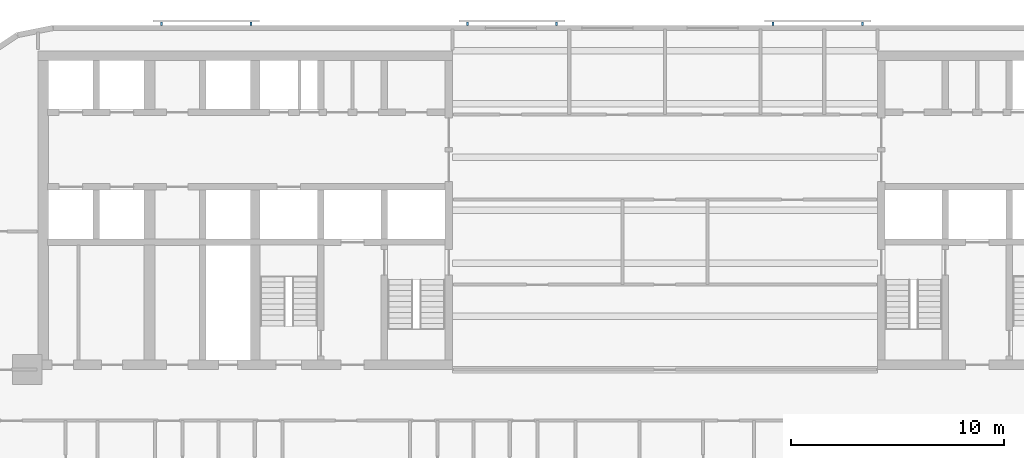
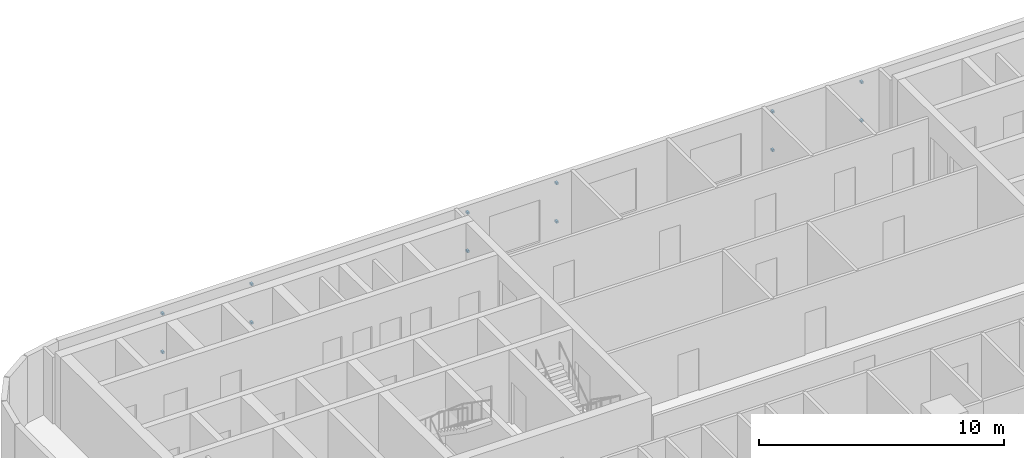
# One storey, part 9 of 13: 12 discrete accessories.
"""IFC4 building model written with IfcOpenShell, lengths in metres."""

from ifc_helpers import new_model, si_unit, direction, frame, origin, origin_2d, place, context, subcontext, project, spatial, rectangle, extrude, material, type_object, element, save


model = new_model("IFC4")

# Units and contexts
model_context = context("Model", 3, precision=1e-05, world=origin(), true_north=direction((0.0, 1.0)))
body_context = subcontext(model_context, "Body", "Model", "MODEL_VIEW")
ifc_project = project(units=[si_unit("LENGTHUNIT", "METRE"), si_unit("AREAUNIT", "SQUARE_METRE"), si_unit("VOLUMEUNIT", "CUBIC_METRE"), si_unit("PLANEANGLEUNIT", "RADIAN"), si_unit("MASSUNIT", "GRAM", prefix="KILO")], contexts=[model_context])

# Site, building, storey
site_placement = place(None, origin())
site = spatial("IfcSite", under=ifc_project, at=site_placement, CompositionType="ELEMENT")
building_placement = place(site_placement, origin())
building = spatial("IfcBuilding", under=site, at=building_placement, Name="Torana Hotel and Residences", CompositionType="ELEMENT")
storey_placement = place(building_placement, frame((0.0, 0.0, 81.60009765625)))
storey = spatial("IfcBuildingStorey", under=building, at=storey_placement, Name="L20", CompositionType="ELEMENT", Elevation=81.60009765625)

# Discrete accessories
ifc_material = material(Name="Steel S355", Category="steel")
discrete_accessory_type = type_object("IfcDiscreteAccessoryType", Name="SCREEN BRACKET 100", PredefinedType="BRACKET", material=ifc_material)
for number, where, z_axis, x_axis, name in (
    (1, (9.293701171875, 1.27490234375, 0.749755859375), (0.0, 0.0, 1.0), (-1.0, 0.0, 0.0), "Screen bracket L20"),
    (2, (9.293701171875, 1.27490234375, 2.669921875), (0.0, 0.0, 1.0), (-1.0, 0.0, 0.0), "Screen bracket L20"),
    (3, (5.09375, 1.27490234375, 0.749755859375), (0.0, 0.0, 1.0), (-1.0, 0.0, 0.0), "Screen bracket L20"),
    (4, (5.09375, 1.27490234375, 2.669921875), (0.0, 0.0, 1.0), (-1.0, 0.0, 0.0), "Screen bracket L20"),
    (5, (-5.09375, 1.27490234375, 0.749755859375), (0.0, 0.0, 1.0), (-1.0, 0.0, 0.0), "Screen bracket L20"),
    (6, (-5.09375, 1.27490234375, 2.669921875), (0.0, 0.0, 1.0), (-1.0, 0.0, 0.0), "Screen bracket L20"),
    (7, (-9.293701171875, 1.27490234375, 0.749755859375), (0.0, 0.0, 1.0), (-1.0, 0.0, 0.0), "Screen bracket L20"),
    (8, (-9.293701171875, 1.27490234375, 2.669921875), (0.0, 0.0, 1.0), (-1.0, 0.0, 0.0), "Screen bracket L20"),
    (9, (-19.4814453125, 1.27490234375, 0.749755859375), (0.0, 0.0, 1.0), (-1.0, 0.0, 0.0), "Screen bracket L20"),
    (10, (-19.4814453125, 1.27490234375, 2.669921875), (0.0, 0.0, 1.0), (-1.0, 0.0, 0.0), "Screen bracket L20"),
    (11, (-23.681396484375, 1.27490234375, 0.749755859375), (0.0, 0.0, 1.0), (-1.0, 0.0, 0.0), "Screen bracket L20"),
    (12, (-23.681396484375, 1.27490234375, 2.669921875), (0.0, 0.0, 1.0), (-1.0, 0.0, 0.0), "Screen bracket L20"),
):
    element("IfcDiscreteAccessory", number, at=place(storey_placement, frame(where, z_axis=z_axis, x_axis=x_axis)), inside=storey, type_object=discrete_accessory_type, Name=name, PredefinedType="BRACKET", context=body_context, shape_type="SweptSolid", body=[
        extrude(rectangle(XDim=0.10009765625, YDim=0.14990234375, at=origin_2d()), origin(), (0.0, 0.0, 1.0), 0.10009765625),
    ])

save(model, "model.ifc")
